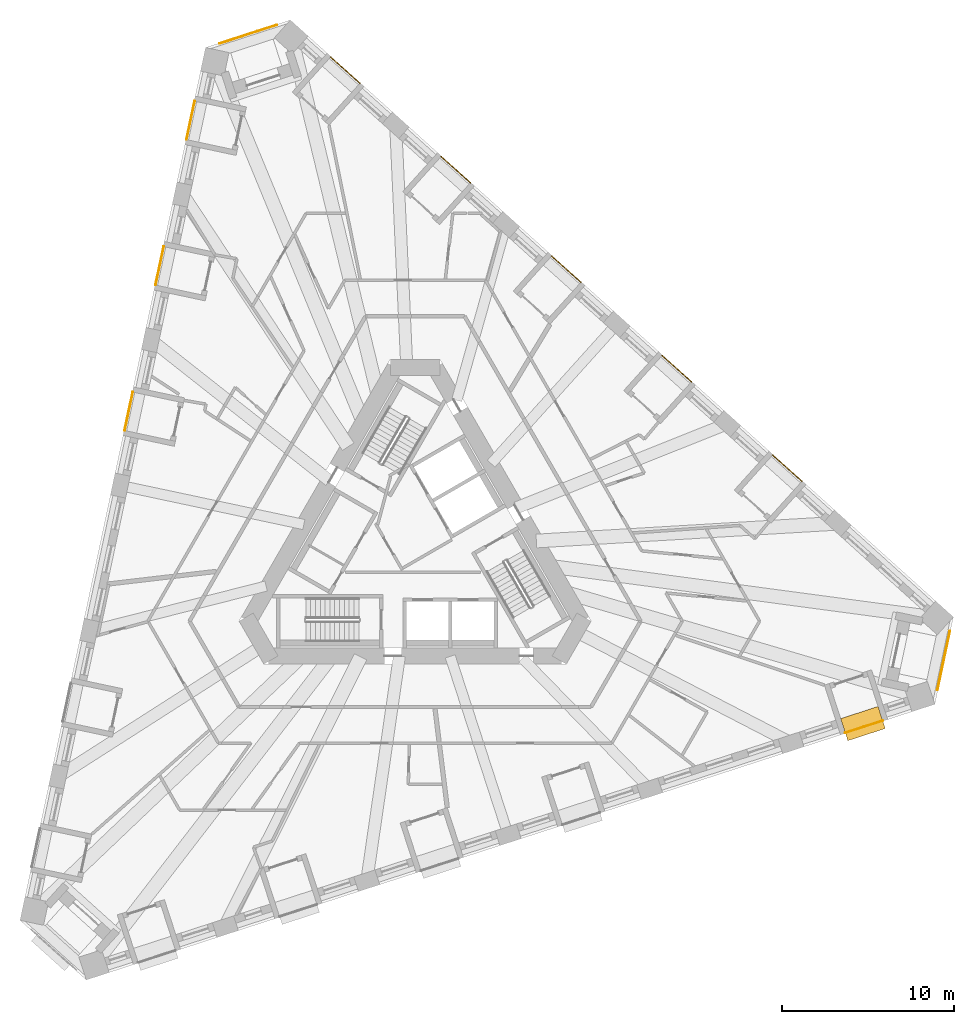
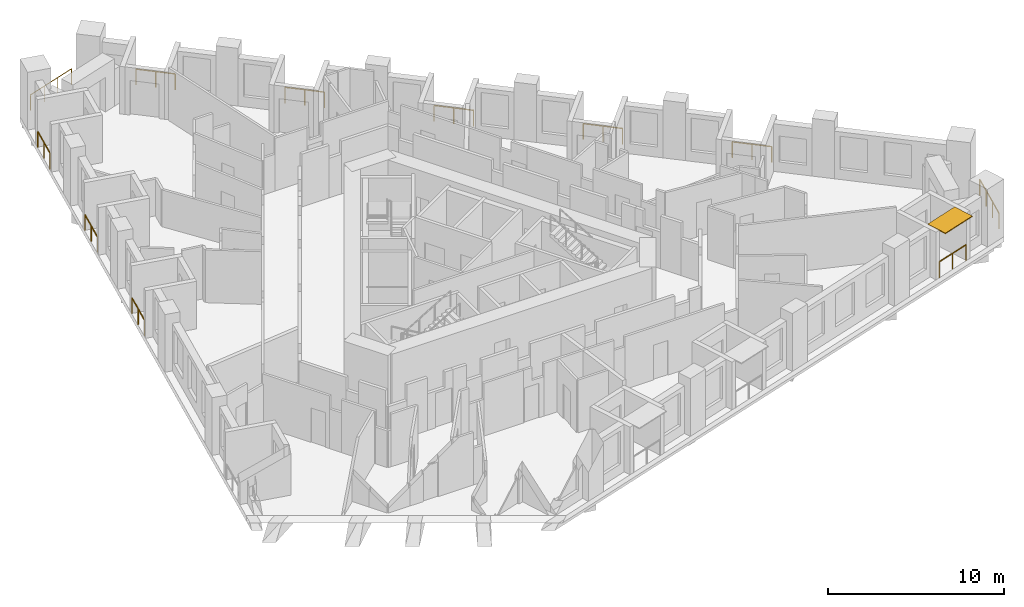
# One storey, part 13 of 13: 11 railings, 1 shading device.
"""IFC4 building model written with IfcOpenShell, lengths in metres."""

from ifc_helpers import new_model, si_unit, direction, frame, origin, origin_2d, place, context, subcontext, project, spatial, rectangle, circle, extrude, material, layer, layer_set, type_object, element, save


model = new_model("IFC4")

# Units and contexts
model_context = context("Model", 3, precision=1e-05, world=origin(), true_north=direction((0.0, 1.0)))
body_context = subcontext(model_context, "Body", "Model", "MODEL_VIEW")
ifc_project = project(units=[si_unit("LENGTHUNIT", "METRE"), si_unit("AREAUNIT", "SQUARE_METRE"), si_unit("VOLUMEUNIT", "CUBIC_METRE"), si_unit("PLANEANGLEUNIT", "RADIAN"), si_unit("MASSUNIT", "GRAM", prefix="KILO")], contexts=[model_context])

# Site, building, storey
site_placement = place(None, origin())
site = spatial("IfcSite", under=ifc_project, at=site_placement, CompositionType="ELEMENT")
building_placement = place(site_placement, origin())
building = spatial("IfcBuilding", under=site, at=building_placement, Name="Tramontana Tower", CompositionType="ELEMENT")
storey_placement = place(building_placement, frame((0.0, 0.0, 104.39990234375)))
storey = spatial("IfcBuildingStorey", under=building, at=storey_placement, Name="L23", CompositionType="ELEMENT", Elevation=104.39990234375)

# Railings
ifc_material_1 = material(Name="Laminated glass balustrade", Category="glass")
railing_type = type_object("IfcRailingType", Name="GD1 Loggia glass balustrade 1100", PredefinedType="BALUSTRADE", material=ifc_material_1)
railing_1_placement = place(storey_placement, frame((-12.838134765625, 26.031982421875, 0.0)))
element("IfcRailing", 1, at=railing_1_placement, inside=storey, type_object=railing_type, Name="Loggia balustrade L23 G2S0.1", PredefinedType="BALUSTRADE", context=body_context, shape_type="SweptSolid", body=[
    extrude(circle(Radius=0.02392578125, at=origin_2d()), frame((0.0, 0.0, 1.076171875), z_axis=(-0.207990282514, -0.978130892253, 0.0), x_axis=(0.978130892253, -0.207990282514, 0.0)), (0.0, 0.0, 1.0), 2.28662109375),
    extrude(circle(Radius=0.02099609375, at=origin_2d()), origin(), (0.0, 0.0, 1.0), 1.052001953125),
    extrude(circle(Radius=0.02099609375, at=origin_2d()), frame((-0.23779296875, -1.1181640625, 0.0)), (0.0, 0.0, 1.0), 1.052001953125),
    extrude(circle(Radius=0.02099609375, at=origin_2d()), frame((-0.4755859375, -2.236572265625, 0.0)), (0.0, 0.0, 1.0), 1.052001953125),
])
for number, where, name in (
    (2, (-14.638671875, 17.56103515625, 0.0), "Loggia balustrade L23 G2S0.4"),
    (3, (-16.439208984375, 9.090087890625, 0.0), "Loggia balustrade L23 G2S0.7"),
):
    element("IfcRailing", number, at=place(storey_placement, frame(where)), inside=storey, type_object=railing_type, Name=name, PredefinedType="BALUSTRADE", context=body_context, shape_type="SweptSolid", body=[
        extrude(circle(Radius=0.02392578125, at=origin_2d()), frame((0.0, 0.0, 1.076171875), z_axis=(-0.207968563016, -0.978135510447, 0.0), x_axis=(0.978135510447, -0.207968563016, 0.0)), (0.0, 0.0, 1.0), 2.286865234375),
        extrude(circle(Radius=0.02099609375, at=origin_2d()), origin(), (0.0, 0.0, 1.0), 1.052001953125),
        extrude(circle(Radius=0.02099609375, at=origin_2d()), frame((-0.23779296875, -1.118408203125, 0.0)), (0.0, 0.0, 1.0), 1.052001953125),
        extrude(circle(Radius=0.02099609375, at=origin_2d()), frame((-0.4755859375, -2.23681640625, 0.0)), (0.0, 0.0, 1.0), 1.052001953125),
    ])
railing_2_placement = place(storey_placement, frame((25.056640625, -10.75341796875, 0.0)))
element("IfcRailing", 4, at=railing_2_placement, inside=storey, type_object=railing_type, Name="Loggia balustrade L23 G2S1.16", PredefinedType="BALUSTRADE", context=body_context, shape_type="SweptSolid", body=[
    extrude(circle(Radius=0.02392578125, at=origin_2d()), frame((0.0, 0.0, 1.076171875), z_axis=(0.95103720697, 0.309076416051, 0.0), x_axis=(-0.309076416051, 0.95103720697, 0.0)), (0.0, 0.0, 1.0), 2.286865234375),
    extrude(circle(Radius=0.02099609375, at=origin_2d()), origin(), (0.0, 0.0, 1.0), 1.052001953125),
    extrude(circle(Radius=0.02099609375, at=origin_2d()), frame((1.08740234375, 0.353515625, 0.0)), (0.0, 0.0, 1.0), 1.052001953125),
    extrude(circle(Radius=0.02099609375, at=origin_2d()), frame((2.1748046875, 0.706787109375, 0.0)), (0.0, 0.0, 1.0), 1.052001953125),
])
for number, where, name in (
    (5, (22.527587890625, 3.89697265625, 0.0), "Loggia balustrade L23 G2S2.4"),
    (6, (16.091796875, 9.69189453125, 0.0), "Loggia balustrade L23 G2S2.7"),
):
    element("IfcRailing", number, at=place(storey_placement, frame(where)), inside=storey, type_object=railing_type, Name=name, PredefinedType="BALUSTRADE", context=body_context, shape_type="SweptSolid", body=[
        extrude(circle(Radius=0.02392578125, at=origin_2d()), frame((0.0, 0.0, 1.076171875), z_axis=(-0.743134851659, 0.66914168324, 0.0), x_axis=(-0.66914168324, -0.743134851659, 0.0)), (0.0, 0.0, 1.0), 2.28662109375),
        extrude(circle(Radius=0.02099609375, at=origin_2d()), origin(), (0.0, 0.0, 1.0), 1.052001953125),
        extrude(circle(Radius=0.02099609375, at=origin_2d()), frame((-0.849609375, 0.76513671875, 0.0)), (0.0, 0.0, 1.0), 1.052001953125),
        extrude(circle(Radius=0.02099609375, at=origin_2d()), frame((-1.69921875, 1.530029296875, 0.0)), (0.0, 0.0, 1.0), 1.052001953125),
    ])
railing_3_placement = place(storey_placement, frame((9.656005859375, 15.486572265625, 0.0)))
element("IfcRailing", 7, at=railing_3_placement, inside=storey, type_object=railing_type, Name="Loggia balustrade L23 G2S2.10", PredefinedType="BALUSTRADE", context=body_context, shape_type="SweptSolid", body=[
    extrude(circle(Radius=0.02392578125, at=origin_2d()), frame((0.0, 0.0, 1.076171875), z_axis=(-0.743081759278, 0.669200641832, 0.0), x_axis=(-0.669200641832, -0.743081759278, 0.0)), (0.0, 0.0, 1.0), 2.28662109375),
    extrude(circle(Radius=0.02099609375, at=origin_2d()), origin(), (0.0, 0.0, 1.0), 1.052001953125),
    extrude(circle(Radius=0.02099609375, at=origin_2d()), frame((-0.849609375, 0.76513671875, 0.0)), (0.0, 0.0, 1.0), 1.052001953125),
    extrude(circle(Radius=0.02099609375, at=origin_2d()), frame((-1.69921875, 1.5302734375, 0.0)), (0.0, 0.0, 1.0), 1.052001953125),
])
for number, where, name in (
    (8, (3.22021484375, 21.281494140625, 0.0), "Loggia balustrade L23 G2S2.13"),
    (9, (-3.215576171875, 27.076416015625, 0.0), "Loggia balustrade L23 G2S2.16"),
):
    element("IfcRailing", number, at=place(storey_placement, frame(where)), inside=storey, type_object=railing_type, Name=name, PredefinedType="BALUSTRADE", context=body_context, shape_type="SweptSolid", body=[
        extrude(circle(Radius=0.02392578125, at=origin_2d()), frame((0.0, 0.0, 1.076171875), z_axis=(-0.743182653308, 0.669088591909, 0.0), x_axis=(-0.669088591909, -0.743182653308, 0.0)), (0.0, 0.0, 1.0), 2.28662109375),
        extrude(circle(Radius=0.02099609375, at=origin_2d()), origin(), (0.0, 0.0, 1.0), 1.052001953125),
        extrude(circle(Radius=0.02099609375, at=origin_2d()), frame((-0.849609375, 0.76513671875, 0.0)), (0.0, 0.0, 1.0), 1.052001953125),
        extrude(circle(Radius=0.02099609375, at=origin_2d()), frame((-1.699462890625, 1.530029296875, 0.0)), (0.0, 0.0, 1.0), 1.052001953125),
    ])
railing_4_placement = place(storey_placement, frame((-11.38916015625, 29.388916015625, 0.0)))
element("IfcRailing", 10, at=railing_4_placement, inside=storey, type_object=railing_type, Name="Corner loggia balustrade L23 K20", PredefinedType="BALUSTRADE", context=body_context, shape_type="SweptSolid", body=[
    extrude(circle(Radius=0.02392578125, at=origin_2d()), frame((0.0, 0.0, 1.076171875), z_axis=(0.951062257173, 0.308999325213, 0.0), x_axis=(-0.308999325213, 0.951062257173, 0.0)), (0.0, 0.0, 1.0), 3.500244140625),
    extrude(circle(Radius=0.02099609375, at=origin_2d()), origin(), (0.0, 0.0, 1.0), 1.052001953125),
    extrude(circle(Radius=0.02099609375, at=origin_2d()), frame((1.109619140625, 0.360595703125, 0.0)), (0.0, 0.0, 1.0), 1.052001953125),
    extrude(circle(Radius=0.02099609375, at=origin_2d()), frame((2.21923828125, 0.720947265625, 0.0)), (0.0, 0.0, 1.0), 1.052001953125),
    extrude(circle(Radius=0.02099609375, at=origin_2d()), frame((3.328857421875, 1.08154296875, 0.0)), (0.0, 0.0, 1.0), 1.052001953125),
])
railing_5_placement = place(storey_placement, frame((31.146240234375, -4.831298828125, 0.0)))
element("IfcRailing", 11, at=railing_5_placement, inside=storey, type_object=railing_type, Name="Corner loggia balustrade L23 K22", PredefinedType="BALUSTRADE", context=body_context, shape_type="SweptSolid", body=[
    extrude(circle(Radius=0.02392578125, at=origin_2d()), frame((0.0, 0.0, 1.076171875), z_axis=(-0.207947190288, -0.978140054415, 0.0), x_axis=(0.978140054415, -0.207947190288, 0.0)), (0.0, 0.0, 1.0), 3.499755859375),
    extrude(circle(Radius=0.02099609375, at=origin_2d()), origin(), (0.0, 0.0, 1.0), 1.052001953125),
    extrude(circle(Radius=0.02099609375, at=origin_2d()), frame((-0.24267578125, -1.14111328125, 0.0)), (0.0, 0.0, 1.0), 1.052001953125),
    extrude(circle(Radius=0.02099609375, at=origin_2d()), frame((-0.485107421875, -2.2822265625, 0.0)), (0.0, 0.0, 1.0), 1.052001953125),
    extrude(circle(Radius=0.02099609375, at=origin_2d()), frame((-0.727783203125, -3.42333984375, 0.0)), (0.0, 0.0, 1.0), 1.052001953125),
])

# Shading device
ifc_material_2 = material(Name="Precast concrete 60 MPa", Category="concrete")
ifc_layer = layer(ifc_material_2, 0.06005859375)
ifc_layer_set = layer_set([ifc_layer], Name="SS1 Stone sunshade blade 60")
shading_device_type = type_object("IfcShadingDeviceType", Name="SS1 Stone sunshade blade 60", PredefinedType="USERDEFINED", material=ifc_layer_set)
shading_device_placement = place(storey_placement, frame((26.083740234375, -10.214599609375, 3.239990234375), z_axis=(0.0, 0.0, 1.0), x_axis=(0.951056516295, 0.309016994375, 0.0)))
element("IfcShadingDevice", 12, at=shading_device_placement, inside=storey, type_object=shading_device_type, Name="Sunshade L23 G2S1.16", ObjectType="SUNSHADE", PredefinedType="USERDEFINED", context=body_context, shape_type="SweptSolid", body=[
    extrude(rectangle(XDim=2.286865234375, YDim=1.35009765625, at=origin_2d()), origin(), (0.0, 0.0, 1.0), 0.06005859375),
])

save(model, "model.ifc")
